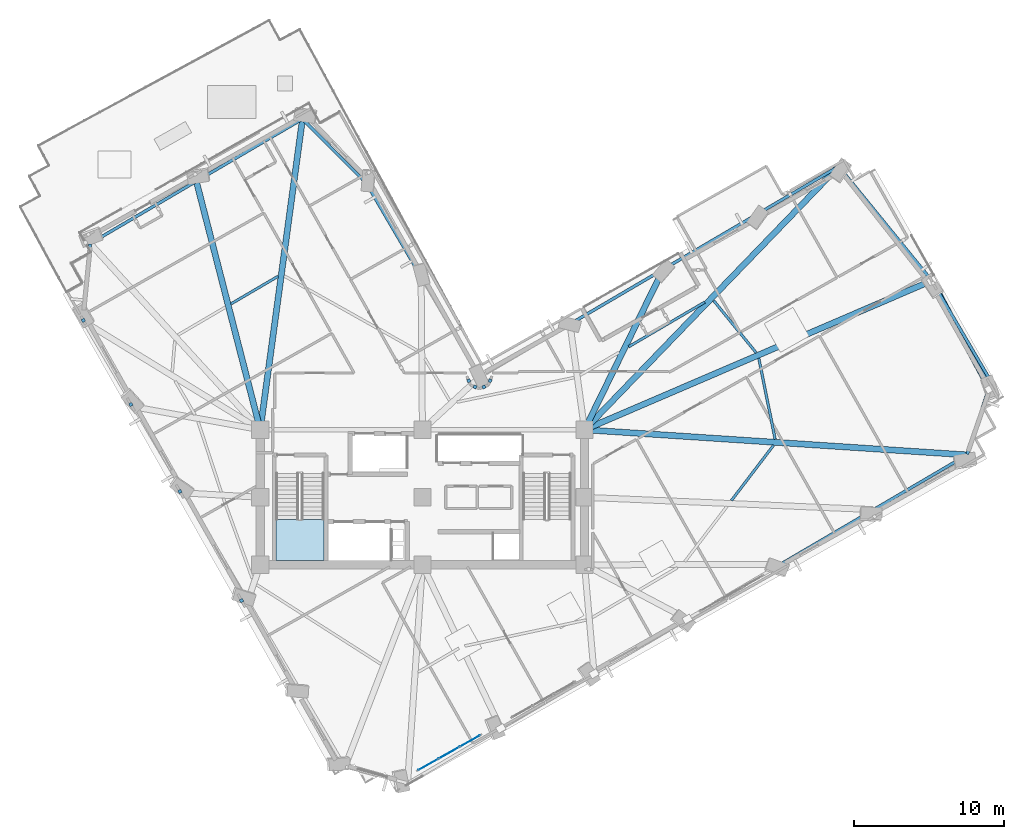
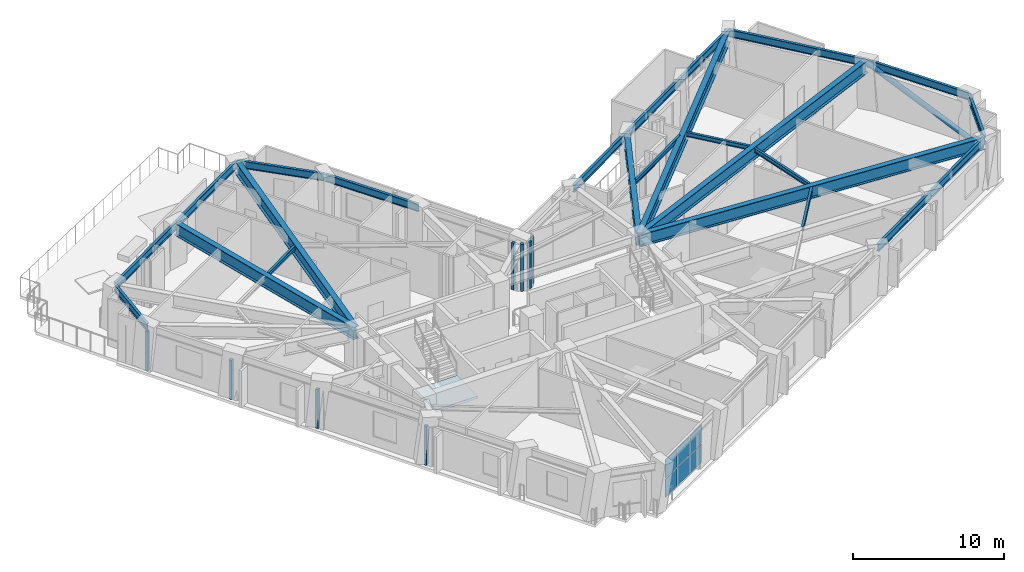
# One storey, part 5 of 18: 24 beams, 14 plates, 1 member, 1 slab, 2 elements without a shape of their own.
"""IFC4 building model written with IfcOpenShell, lengths in metres."""

from ifc_helpers import new_model, si_unit, direction, frame, origin, origin_2d, place, context, subcontext, project, spatial, polyline, rectangle, hollow_circle, i_section, outline, extrude, material, layer, layer_set, material_profile, profile_set, type_object, element, aggregate, save


model = new_model("IFC4")

# Units and contexts
model_context = context("Model", 3, precision=1e-05, world=origin(), true_north=direction((0.0, 1.0)))
body_context = subcontext(model_context, "Body", "Model", "MODEL_VIEW")
ifc_project = project(units=[si_unit("LENGTHUNIT", "METRE"), si_unit("AREAUNIT", "SQUARE_METRE"), si_unit("VOLUMEUNIT", "CUBIC_METRE"), si_unit("PLANEANGLEUNIT", "RADIAN"), si_unit("MASSUNIT", "GRAM", prefix="KILO")], contexts=[model_context])

# Site, building, storey
site_placement = place(None, origin())
site = spatial("IfcSite", under=ifc_project, at=site_placement, CompositionType="ELEMENT")
building_placement = place(site_placement, origin())
building = spatial("IfcBuilding", under=site, at=building_placement, Name="Gaonmaruhae Medical Tower", CompositionType="ELEMENT")
storey_placement = place(building_placement, frame((0.0, 0.0, 149.800048828125)))
storey = spatial("IfcBuildingStorey", under=building, at=storey_placement, Name="L35", CompositionType="ELEMENT", Elevation=149.800048828125)

# Beams
ifc_material_1 = material(Name="Steel SM420", Category="steel")
ifc_material_profile_1 = material_profile(ifc_material_1, i_section(OverallWidth=0.39990234375, OverallDepth=1.0, WebThickness=0.02197265625, FlangeThickness=0.035888671875, at=origin_2d()), Name="BH-1000x400x22x36")
ifc_profile_set_1 = profile_set([ifc_material_profile_1], Name="Steel SM420")
beam_type_1 = type_object("IfcBeamType", Name="BG-02 Refuge Floor Primary Girder (BH-1000x400x22x36)", PredefinedType="BEAM", material=ifc_profile_set_1)
beam_1_placement = place(storey_placement, frame((35.64990234375, 16.796630859375, 3.280029296875), z_axis=(0.997838989805, -0.065706547806, 0.0), x_axis=(0.065706547806, 0.997838989805, 0.0)))
element("IfcBeam", 1, at=beam_1_placement, inside=storey, type_object=beam_type_1, Name="L35 Radial Primary Girder S07", PredefinedType="BEAM", context=body_context, shape_type="SweptSolid", body=[
    extrude(i_section(OverallWidth=0.39990234375, OverallDepth=1.0, WebThickness=0.02197265625, FlangeThickness=0.035888671875, at=origin_2d()), origin(), (0.0, 0.0, 1.0), 25.4296875),
])
beam_2_placement = place(storey_placement, frame((35.64599609375, 16.81982421875, 3.280029296875), z_axis=(0.918871289474, 0.394557414556, 0.0), x_axis=(-0.394557414556, 0.918871289474, 0.0)))
element("IfcBeam", 2, at=beam_2_placement, inside=storey, type_object=beam_type_1, Name="L35 Radial Primary Girder E02", PredefinedType="BEAM", context=body_context, shape_type="SweptSolid", body=[
    extrude(i_section(OverallWidth=0.39990234375, OverallDepth=1.0, WebThickness=0.02197265625, FlangeThickness=0.035888671875, at=origin_2d()), origin(), (0.0, 0.0, 1.0), 25.069580078125),
])
beam_3_placement = place(storey_placement, frame((35.634765625, 16.8359375, 3.280029296875), z_axis=(0.694417328725, 0.719572493614, 0.0), x_axis=(-0.719572493614, 0.694417328725, 0.0)))
element("IfcBeam", 3, at=beam_3_placement, inside=storey, type_object=beam_type_1, Name="L35 Radial Primary Girder E03", PredefinedType="BEAM", context=body_context, shape_type="SweptSolid", body=[
    extrude(i_section(OverallWidth=0.39990234375, OverallDepth=1.0, WebThickness=0.02197265625, FlangeThickness=0.035888671875, at=origin_2d()), origin(), (0.0, 0.0, 1.0), 24.273193359375),
])
beam_4_placement = place(storey_placement, frame((35.6220703125, 16.844970703125, 3.260009765625), z_axis=(0.440304442975, 0.897848538171, 0.0), x_axis=(-0.897848538171, 0.440304442975, 0.0)))
element("IfcBeam", 4, at=beam_4_placement, inside=storey, type_object=beam_type_1, Name="L35 Radial Primary Girder EN02", PredefinedType="BEAM", context=body_context, shape_type="SweptSolid", body=[
    extrude(i_section(OverallWidth=0.39990234375, OverallDepth=1.0, WebThickness=0.02197265625, FlangeThickness=0.035888671875, at=origin_2d()), origin(), (0.0, 0.0, 1.0), 11.796630859375),
])
beam_5_placement = place(storey_placement, frame((14.0068359375, 16.849609375, 3.280029296875), z_axis=(0.134699783405, 0.990886455832, 0.0), x_axis=(-0.990886455832, 0.134699783405, 0.0)))
element("IfcBeam", 5, at=beam_5_placement, inside=storey, type_object=beam_type_1, Name="L35 Radial Primary Girder N01", PredefinedType="BEAM", context=body_context, shape_type="SweptSolid", body=[
    extrude(i_section(OverallWidth=0.39990234375, OverallDepth=1.0, WebThickness=0.02197265625, FlangeThickness=0.035888671875, at=origin_2d()), origin(), (0.0, 0.0, 1.0), 20.792724609375),
])
beam_6_placement = place(storey_placement, frame((13.987548828125, 16.848388671875, 3.280029296875), z_axis=(-0.249142693231, 0.968466787458, 0.0), x_axis=(-0.968466787458, -0.249142693231, 0.0)))
element("IfcBeam", 6, at=beam_6_placement, inside=storey, type_object=beam_type_1, Name="L35 Radial Primary Girder N02", PredefinedType="BEAM", context=body_context, shape_type="SweptSolid", body=[
    extrude(i_section(OverallWidth=0.39990234375, OverallDepth=1.0, WebThickness=0.02197265625, FlangeThickness=0.035888671875, at=origin_2d()), origin(), (0.0, 0.0, 1.0), 16.991943359375),
])
ifc_material_2 = material(Name="Steel SM355", Category="steel")
ifc_material_profile_2 = material_profile(ifc_material_2, i_section(OverallWidth=0.175048828125, OverallDepth=0.35009765625, WebThickness=0.007080078125, FlangeThickness=0.010986328125, FilletRadius=0.012939453125, at=origin_2d()), Name="H-350x175x7x11")
ifc_profile_set_2 = profile_set([ifc_material_profile_2], Name="Steel SM355")
beam_type_2 = type_object("IfcBeamType", Name="FJ-02 Upper Zone Ward Floor Joist (H-350x175x7x11)", PredefinedType="JOIST", material=ifc_profile_set_2)
beam_7_placement = place(storey_placement, frame((45.3837890625, 12.088134765625, 3.60498046875), z_axis=(0.606358096344, 0.795191712104, 0.0), x_axis=(-0.795191712104, 0.606358096344, 0.0)))
element("IfcBeam", 7, at=beam_7_placement, inside=storey, type_object=beam_type_2, Name="L35 Secondary Floor Joist FJ06", PredefinedType="JOIST", context=body_context, shape_type="SweptSolid", body=[
    extrude(i_section(OverallWidth=0.175048828125, OverallDepth=0.35009765625, WebThickness=0.007080078125, FlangeThickness=0.010986328125, FilletRadius=0.012939453125, at=origin_2d()), origin(), (0.0, 0.0, 1.0), 4.624755859375),
])
beam_8_placement = place(storey_placement, frame((48.294921875, 16.170166015625, 3.60498046875), z_axis=(-0.198130982834, 0.98017555246, 0.0), x_axis=(-0.98017555246, -0.198130982834, 0.0)))
element("IfcBeam", 8, at=beam_8_placement, inside=storey, type_object=beam_type_2, Name="L35 Secondary Floor Joist FJ07", PredefinedType="JOIST", context=body_context, shape_type="SweptSolid", body=[
    extrude(i_section(OverallWidth=0.175048828125, OverallDepth=0.35009765625, WebThickness=0.007080078125, FlangeThickness=0.010986328125, FilletRadius=0.012939453125, at=origin_2d()), origin(), (0.0, 0.0, 1.0), 5.498046875),
])
beam_9_placement = place(storey_placement, frame((47.028564453125, 21.931396484375, 3.60498046875), z_axis=(-0.631915181997, 0.775037549259, 0.0), x_axis=(-0.775037549259, -0.631915181997, 0.0)))
element("IfcBeam", 9, at=beam_9_placement, inside=storey, type_object=beam_type_2, Name="L35 Secondary Floor Joist FJ08", PredefinedType="JOIST", context=body_context, shape_type="SweptSolid", body=[
    extrude(i_section(OverallWidth=0.175048828125, OverallDepth=0.35009765625, WebThickness=0.007080078125, FlangeThickness=0.010986328125, FilletRadius=0.012939453125, at=origin_2d()), origin(), (0.0, 0.0, 1.0), 4.486328125),
])
beam_10_placement = place(storey_placement, frame((43.603515625, 25.2998046875, 3.60498046875), z_axis=(-0.862497815747, -0.506060784721, 0.0), x_axis=(0.506060784721, -0.862497815747, 0.0)))
element("IfcBeam", 10, at=beam_10_placement, inside=storey, type_object=beam_type_2, Name="L35 Secondary Floor Joist FJ09", PredefinedType="JOIST", context=body_context, shape_type="SweptSolid", body=[
    extrude(i_section(OverallWidth=0.175048828125, OverallDepth=0.35009765625, WebThickness=0.007080078125, FlangeThickness=0.010986328125, FilletRadius=0.012939453125, at=origin_2d()), origin(), (0.0, 0.0, 1.0), 5.8740234375),
])
beam_11_placement = place(storey_placement, frame((15.1826171875, 27.01953125, 3.60498046875), z_axis=(-0.862513541787, -0.506033981304, 0.0), x_axis=(0.506033981304, -0.862513541787, 0.0)))
element("IfcBeam", 11, at=beam_11_placement, inside=storey, type_object=beam_type_2, Name="L35 Secondary Floor Joist FJ14", PredefinedType="JOIST", context=body_context, shape_type="SweptSolid", body=[
    extrude(i_section(OverallWidth=0.175048828125, OverallDepth=0.35009765625, WebThickness=0.007080078125, FlangeThickness=0.010986328125, FilletRadius=0.012939453125, at=origin_2d()), origin(), (0.0, 0.0, 1.0), 3.625732421875),
])

# Member
ifc_material_profile_3 = material_profile(ifc_material_1, hollow_circle(Radius=0.203125, WallThickness=0.0126953125, at=origin_2d()), Name="CHS-406.4x12.7")
ifc_profile_set_3 = profile_set([ifc_material_profile_3], Name="Steel SM420")
member_type = type_object("IfcMemberType", Name="PB-02 Perimeter Solid-Bay Tube Brace Mid (CHS-406.4x12.7)", PredefinedType="BRACE", material=ifc_profile_set_3)
member_placement = place(storey_placement, frame((62.591064453125, 19.52197265625, 0.25), z_axis=(-0.438429132767, 0.818068589722, 0.372214559161), x_axis=(-0.881400082275, -0.472370506028, 0.0)))
element("IfcMember", 12, at=member_placement, inside=storey, type_object=member_type, Name="L35 Perimeter Tube Solid-Bay Brace E01-E02", PredefinedType="BRACE", context=body_context, shape_type="SweptSolid", body=[
    extrude(hollow_circle(Radius=0.203125, WallThickness=0.0126953125, at=origin_2d()), origin(), (0.0, 0.0, 1.0), 8.812255859375),
])

# Beams
ifc_material_profile_4 = material_profile(ifc_material_2, i_section(OverallWidth=0.199951171875, OverallDepth=0.60009765625, WebThickness=0.010986328125, FlangeThickness=0.01708984375, FilletRadius=0.012939453125, at=origin_2d()), Name="H-600x200x11x17")
ifc_profile_set_4 = profile_set([ifc_material_profile_4], Name="Steel SM355")
beam_type_3 = type_object("IfcBeamType", Name="SP-01 Lower Perimeter Spandrel Beam (H-600x200x11x17)", PredefinedType="SPANDREL", material=ifc_profile_set_4)
beam_12_placement = place(storey_placement, frame((48.688720703125, 7.85595703125, 3.47998046875), z_axis=(0.86252510531, 0.506014271251, 0.0), x_axis=(-0.506014271251, 0.86252510531, 0.0)))
element("IfcBeam", 13, at=beam_12_placement, inside=storey, type_object=beam_type_3, Name="L35 Perimeter Spandrel Beam S05-S06", PredefinedType="SPANDREL", context=body_context, shape_type="SweptSolid", body=[
    extrude(i_section(OverallWidth=0.199951171875, OverallDepth=0.60009765625, WebThickness=0.010986328125, FlangeThickness=0.01708984375, FilletRadius=0.012939453125, at=origin_2d()), origin(), (0.0, 0.0, 1.0), 7.119873046875),
])
beam_13_placement = place(storey_placement, frame((54.89892578125, 11.499267578125, 3.47998046875), z_axis=(0.862510139418, 0.506039780454, 0.0), x_axis=(-0.506039780454, 0.862510139418, 0.0)))
element("IfcBeam", 14, at=beam_13_placement, inside=storey, type_object=beam_type_3, Name="L35 Perimeter Spandrel Beam S06-S07", PredefinedType="SPANDREL", context=body_context, shape_type="SweptSolid", body=[
    extrude(i_section(OverallWidth=0.199951171875, OverallDepth=0.60009765625, WebThickness=0.010986328125, FlangeThickness=0.01708984375, FilletRadius=0.012939453125, at=origin_2d()), origin(), (0.0, 0.0, 1.0), 7.1201171875),
])
beam_14_placement = place(storey_placement, frame((61.0869140625, 15.160400390625, 3.47998046875), z_axis=(0.311516364163, 0.950240787832, 0.0), x_axis=(-0.950240787832, 0.311516364163, 0.0)))
element("IfcBeam", 15, at=beam_14_placement, inside=storey, type_object=beam_type_3, Name="L35 Perimeter Spandrel Beam S07-E01", PredefinedType="SPANDREL", context=body_context, shape_type="SweptSolid", body=[
    extrude(i_section(OverallWidth=0.199951171875, OverallDepth=0.60009765625, WebThickness=0.010986328125, FlangeThickness=0.01708984375, FilletRadius=0.012939453125, at=origin_2d()), origin(), (0.0, 0.0, 1.0), 5.056640625),
])
beam_15_placement = place(storey_placement, frame((62.654541015625, 20.037841796875, 3.47998046875), z_axis=(-0.506057900693, 0.862499507911, 0.0), x_axis=(-0.862499507911, -0.506057900693, 0.0)))
element("IfcBeam", 16, at=beam_15_placement, inside=storey, type_object=beam_type_3, Name="L35 Perimeter Spandrel Beam E01-E02", PredefinedType="SPANDREL", context=body_context, shape_type="SweptSolid", body=[
    extrude(i_section(OverallWidth=0.199951171875, OverallDepth=0.60009765625, WebThickness=0.010986328125, FlangeThickness=0.01708984375, FilletRadius=0.012939453125, at=origin_2d()), origin(), (0.0, 0.0, 1.0), 7.719970703125),
])
beam_16_placement = place(storey_placement, frame((58.702392578125, 26.761962890625, 3.47998046875), z_axis=(-0.631916298942, 0.775036638574, 0.0), x_axis=(-0.775036638574, -0.631916298942, 0.0)))
element("IfcBeam", 17, at=beam_16_placement, inside=storey, type_object=beam_type_3, Name="L35 Perimeter Spandrel Beam E02-E03", PredefinedType="SPANDREL", context=body_context, shape_type="SweptSolid", body=[
    extrude(i_section(OverallWidth=0.199951171875, OverallDepth=0.60009765625, WebThickness=0.010986328125, FlangeThickness=0.01708984375, FilletRadius=0.012939453125, at=origin_2d()), origin(), (0.0, 0.0, 1.0), 9.7353515625),
])
beam_17_placement = place(storey_placement, frame((52.49072265625, 34.31787109375, 3.47998046875), z_axis=(-0.862529211076, -0.506007272716, 0.0), x_axis=(0.506007272716, -0.862529211076, 0.0)))
element("IfcBeam", 18, at=beam_17_placement, inside=storey, type_object=beam_type_3, Name="L35 Perimeter Spandrel Beam E03-EN01", PredefinedType="SPANDREL", context=body_context, shape_type="SweptSolid", body=[
    extrude(i_section(OverallWidth=0.199951171875, OverallDepth=0.60009765625, WebThickness=0.010986328125, FlangeThickness=0.01708984375, FilletRadius=0.012939453125, at=origin_2d()), origin(), (0.0, 0.0, 1.0), 6.269775390625),
])
for number, where, z_axis, x_axis, name in (
    (19, (47.013916015625, 31.104736328125, 3.4599609375), (-0.862510139418, -0.506039780454, 0.0), (0.506039780454, -0.862510139418, 0.0), "L35 Perimeter Spandrel Beam EN01-EN02"),
    (20, (40.8037109375, 27.461181640625, 3.4599609375), (-0.862510139418, -0.506039780454, 0.0), (0.506039780454, -0.862510139418, 0.0), "L35 Perimeter Spandrel Beam EN02-EN03"),
    (21, (24.691650390625, 27.0400390625, 3.47998046875), (-0.506039780454, 0.862510139418, 0.0), (-0.862510139418, -0.506039780454, 0.0), "L35 Perimeter Spandrel Beam NE01-NE02"),
):
    element("IfcBeam", number, at=place(storey_placement, frame(where, z_axis=z_axis, x_axis=x_axis)), inside=storey, type_object=beam_type_3, Name=name, PredefinedType="SPANDREL", context=body_context, shape_type="SweptSolid", body=[
        extrude(i_section(OverallWidth=0.199951171875, OverallDepth=0.60009765625, WebThickness=0.010986328125, FlangeThickness=0.01708984375, FilletRadius=0.012939453125, at=origin_2d()), origin(), (0.0, 0.0, 1.0), 7.1201171875),
    ])
beam_18_placement = place(storey_placement, frame((21.040283203125, 33.244140625, 3.47998046875), z_axis=(-0.704418230324, 0.709785148328, 0.0), x_axis=(-0.709785148328, -0.704418230324, 0.0)))
element("IfcBeam", 22, at=beam_18_placement, inside=storey, type_object=beam_type_3, Name="L35 Perimeter Spandrel Beam NE02-N01", PredefinedType="SPANDREL", context=body_context, shape_type="SweptSolid", body=[
    extrude(i_section(OverallWidth=0.199951171875, OverallDepth=0.60009765625, WebThickness=0.010986328125, FlangeThickness=0.01708984375, FilletRadius=0.012939453125, at=origin_2d()), origin(), (0.0, 0.0, 1.0), 5.959228515625),
])
for number, where, z_axis, x_axis, name in (
    (23, (16.77978515625, 37.482177734375, 3.47998046875), (-0.862500234024, -0.506056663141, 0.0), (0.506056663141, -0.862500234024, 0.0), "L35 Perimeter Spandrel Beam N01-N02"),
    (24, (9.707275390625, 33.33251953125, 3.47998046875), (-0.862521056451, -0.506021172659, 0.0), (0.506021172659, -0.862521056451, 0.0), "L35 Perimeter Spandrel Beam N02-N03"),
):
    element("IfcBeam", number, at=place(storey_placement, frame(where, z_axis=z_axis, x_axis=x_axis)), inside=storey, type_object=beam_type_3, Name=name, PredefinedType="SPANDREL", context=body_context, shape_type="SweptSolid", body=[
        extrude(i_section(OverallWidth=0.199951171875, OverallDepth=0.60009765625, WebThickness=0.010986328125, FlangeThickness=0.01708984375, FilletRadius=0.012939453125, at=origin_2d()), origin(), (0.0, 0.0, 1.0), 8.119873046875),
    ])
beam_19_placement = place(storey_placement, frame((2.665771484375, 29.16357421875, 3.47998046875), z_axis=(-0.08398027403, -0.996467417216, 0.0), x_axis=(0.996467417216, -0.08398027403, 0.0)))
element("IfcBeam", 25, at=beam_19_placement, inside=storey, type_object=beam_type_3, Name="L35 Perimeter Spandrel Beam N03-W01", PredefinedType="SPANDREL", context=body_context, shape_type="SweptSolid", body=[
    extrude(i_section(OverallWidth=0.199951171875, OverallDepth=0.60009765625, WebThickness=0.010986328125, FlangeThickness=0.01708984375, FilletRadius=0.012939453125, at=origin_2d()), origin(), (0.0, 0.0, 1.0), 5.122314453125),
])

# Curtain wall, plates
ifc_material_3 = material(Name="Anodised aluminium and Low-E double glazing", Category="aluminium")
curtain_wall_type = type_object("IfcCurtainWallType", Name="CW-S4 Setback Sky Garden Wintergarden Curtain Wall", PredefinedType="NOTDEFINED", material=ifc_material_3)
curtain_wall_placement = place(storey_placement, origin())
curtain_wall = element("IfcCurtainWall", 26, at=curtain_wall_placement, inside=storey, type_object=curtain_wall_type, Name="L35 Curtain Wall CW-L35-S01", PredefinedType="NOTDEFINED")
ifc_material_4 = material(Name="Low-E double solar glass", Category="glass")
ifc_layer_1 = layer(ifc_material_4, 0.028076171875)
ifc_layer_set_1 = layer_set([ifc_layer_1], Name="Low-E double solar glass")
plate_type_1 = type_object("IfcPlateType", Name="CWP-V1 Low-E Double Vision Glazing Panel", PredefinedType="CURTAIN_PANEL", material=ifc_layer_set_1)
plate_1_placement = place(storey_placement, frame((27.9794921875, -3.925048828125, 0.06494140625), z_axis=(0.0, 0.0, 1.0), x_axis=(-0.870785745419, -0.491662674579, 0.0)))
plate_1 = element("IfcPlate", 27, at=plate_1_placement, type_object=plate_type_1, Name="CW-S4 panel 1.1", PredefinedType="CURTAIN_PANEL", context=body_context, shape_type="SweptSolid", body=[
    extrude(rectangle(XDim=1.52001953125, YDim=0.028076171875, at=origin_2d()), origin(), (0.0, 0.0, 1.0), 1.485107421875),
])
plate_2_placement = place(storey_placement, frame((27.9794921875, -3.925048828125, 1.61474609375), z_axis=(0.0, 0.0, 1.0), x_axis=(-0.870785745419, -0.491662674579, 0.0)))
plate_2 = element("IfcPlate", 28, at=plate_2_placement, type_object=plate_type_1, Name="CW-S4 panel 1.2", PredefinedType="CURTAIN_PANEL", context=body_context, shape_type="SweptSolid", body=[
    extrude(rectangle(XDim=1.52001953125, YDim=0.028076171875, at=origin_2d()), origin(), (0.0, 0.0, 1.0), 1.485107421875),
])
plate_3_placement = place(storey_placement, frame((26.585205078125, -4.71240234375, 0.06494140625), z_axis=(0.0, 0.0, 1.0), x_axis=(-0.870785745419, -0.491662674579, 0.0)))
plate_3 = element("IfcPlate", 29, at=plate_3_placement, type_object=plate_type_1, Name="CW-S4 panel 2.1", PredefinedType="CURTAIN_PANEL", context=body_context, shape_type="SweptSolid", body=[
    extrude(rectangle(XDim=1.552490234375, YDim=0.028076171875, at=origin_2d()), origin(), (0.0, 0.0, 1.0), 1.485107421875),
])
plate_4_placement = place(storey_placement, frame((26.585205078125, -4.71240234375, 1.61474609375), z_axis=(0.0, 0.0, 1.0), x_axis=(-0.870785745419, -0.491662674579, 0.0)))
plate_4 = element("IfcPlate", 30, at=plate_4_placement, type_object=plate_type_1, Name="CW-S4 panel 2.2", PredefinedType="CURTAIN_PANEL", context=body_context, shape_type="SweptSolid", body=[
    extrude(rectangle(XDim=1.552490234375, YDim=0.028076171875, at=origin_2d()), origin(), (0.0, 0.0, 1.0), 1.485107421875),
])
plate_5_placement = place(storey_placement, frame((25.19091796875, -5.49951171875, 0.06494140625), z_axis=(0.0, 0.0, 1.0), x_axis=(-0.870785745419, -0.491662674579, 0.0)))
plate_5 = element("IfcPlate", 31, at=plate_5_placement, type_object=plate_type_1, Name="CW-S4 panel 3.1", PredefinedType="CURTAIN_PANEL", context=body_context, shape_type="SweptSolid", body=[
    extrude(rectangle(XDim=1.52001953125, YDim=0.028076171875, at=origin_2d()), origin(), (0.0, 0.0, 1.0), 1.485107421875),
])
plate_6_placement = place(storey_placement, frame((25.19091796875, -5.49951171875, 1.61474609375), z_axis=(0.0, 0.0, 1.0), x_axis=(-0.870785745419, -0.491662674579, 0.0)))
plate_6 = element("IfcPlate", 32, at=plate_6_placement, type_object=plate_type_1, Name="CW-S4 panel 3.2", PredefinedType="CURTAIN_PANEL", context=body_context, shape_type="SweptSolid", body=[
    extrude(rectangle(XDim=1.52001953125, YDim=0.028076171875, at=origin_2d()), origin(), (0.0, 0.0, 1.0), 1.485107421875),
])
aggregate(curtain_wall, [plate_1, plate_2, plate_3, plate_4, plate_5, plate_6])

# Plates
ifc_material_5 = material(Name="Anodised aluminium 6063-T6", Category="aluminium")
ifc_layer_2 = layer(ifc_material_5, 0.011962890625)
ifc_layer_set_2 = layer_set([ifc_layer_2], Name="Anodised aluminium 6063-T6")
plate_type_2 = type_object("IfcPlateType", Name="PP-01 Interior Partition Corner Stiffener Plate", PredefinedType="SHEET", material=ifc_layer_set_2)
for number, where, z_axis, x_axis, name in (
    (33, (12.75439453125, 5.419921875, 0.0), (0.0, 0.0, 1.0), (-0.492089331215, 0.870544708849, 0.0), "L35 Partition Corner Stiffener Plate PLT-L35-JGP-PW035"),
    (34, (8.64990234375, 12.69091796875, 0.0), (0.0, 0.0, 1.0), (-0.491785423812, 0.870716427389, 0.0), "L35 Partition Corner Stiffener Plate PLT-L35-JGP-PW041"),
    (35, (5.380615234375, 18.48095703125, 0.0), (0.0, 0.0, 1.0), (-0.491420655835, 0.870922349592, 0.0), "L35 Partition Corner Stiffener Plate PLT-L35-JGP-PW047"),
    (36, (2.216064453125, 24.0849609375, 0.0), (0.0, 0.0, 1.0), (-0.492058943173, 0.870561885476, 0.0), "L35 Partition Corner Stiffener Plate PLT-L35-JGP-PW048"),
):
    element("IfcPlate", number, at=place(storey_placement, frame(where, z_axis=z_axis, x_axis=x_axis)), inside=storey, type_object=plate_type_2, Name=name, PredefinedType="SHEET", context=body_context, shape_type="SweptSolid", body=[
        extrude(rectangle(XDim=0.219970703125, YDim=0.219970703125, at=origin_2d()), origin(), (0.0, 0.0, 1.0), 3.1650390625),
    ])
for number, where, z_axis, x_axis, name in (
    (37, (29.30859375, 20.068115234375, 0.0), (0.0, 0.0, 1.0), (-0.383505642381, -0.923538533177, 0.0), "L35 Partition Corner Stiffener Plate PLT-L35-JGP-PW064"),
    (38, (28.8916015625, 19.65087890625, 0.0), (0.0, 0.0, 1.0), (-0.923866173777, -0.382715681611, 0.0), "L35 Partition Corner Stiffener Plate PLT-L35-JGP-PW065"),
    (39, (28.302001953125, 19.65087890625, 0.0), (0.0, 0.0, 1.0), (-0.924093119157, 0.382167381036, 0.0), "L35 Partition Corner Stiffener Plate PLT-L35-JGP-PW066"),
    (40, (27.885009765625, 20.068115234375, 0.0), (0.0, 0.0, 1.0), (-0.382167381036, 0.924093119157, 0.0), "L35 Partition Corner Stiffener Plate PLT-L35-JGP-PW067"),
):
    element("IfcPlate", number, at=place(storey_placement, frame(where, z_axis=z_axis, x_axis=x_axis)), inside=storey, type_object=plate_type_2, Name=name, PredefinedType="SHEET", context=body_context, shape_type="SweptSolid", body=[
        extrude(rectangle(XDim=0.219970703125, YDim=0.219970703125, at=origin_2d()), origin(), (0.0, 0.0, 1.0), 3.780029296875),
    ])

# Stair, slab
ifc_material_6 = material(Name="Concrete C40/50", Category="concrete")
stair_type = type_object("IfcStairType", Name="ST-T1 Primary Core Escape Dogleg Stair", PredefinedType="TWO_QUARTER_TURN_STAIR", material=ifc_material_6)
stair_placement = place(storey_placement, origin())
stair = element("IfcStair", 41, at=stair_placement, inside=storey, type_object=stair_type, Name="L35 Protected Escape Stair ST-01", PredefinedType="TWO_QUARTER_TURN_STAIR")
ifc_layer_3 = layer(ifc_material_6, 0.199951171875)
ifc_layer_set_3 = layer_set([ifc_layer_3], Name="Concrete C40/50")
slab_type = type_object("IfcSlabType", Name="SL-200 Stair & Ramp Intermediate Concrete Landing", PredefinedType="LANDING", material=ifc_layer_set_3)
slab_placement = place(storey_placement, frame((0.0, 0.0, 1.800048828125)))
slab = element("IfcSlab", 42, at=slab_placement, type_object=slab_type, Name="ST-01 landing 1", PredefinedType="LANDING", context=body_context, shape_type="SweptSolid", body=[
    extrude(outline(polyline([(15.050048828125, 10.820068359375), (15.050048828125, 8.0791015625), (18.25, 8.0791015625), (18.25, 10.820068359375), (15.050048828125, 10.820068359375)])), origin(), (0.0, 0.0, 1.0), 0.199951171875),
])
aggregate(stair, [slab])

save(model, "model.ifc")
